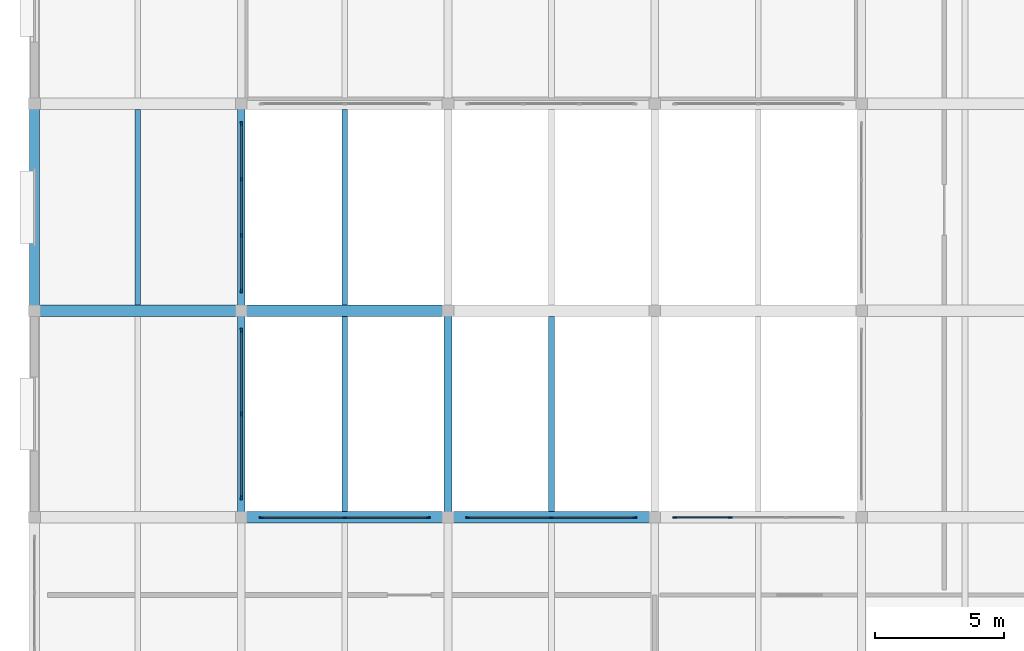
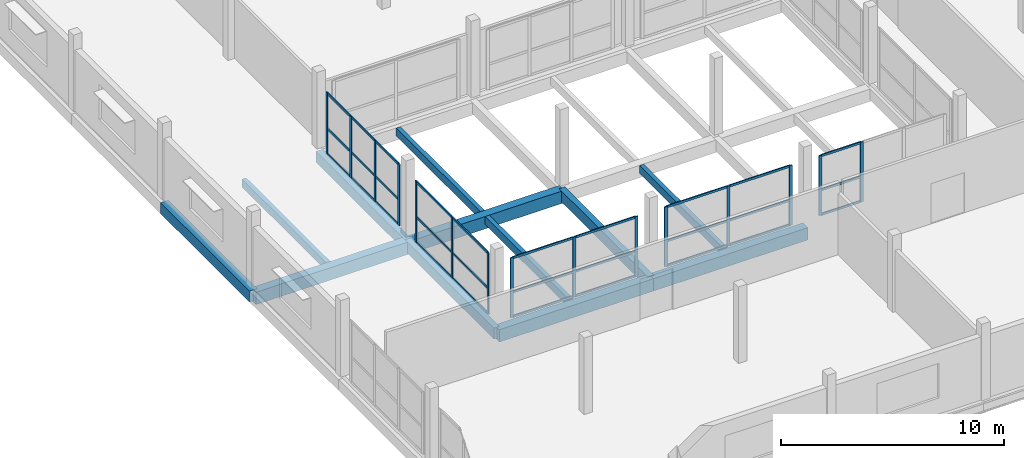
# One storey, part 7 of 53: 45 members, 12 beams, 5 elements without a shape of their own.
"""IFC4 building model written with IfcOpenShell, lengths in metres."""

from ifc_helpers import new_model, si_unit, direction, frame, origin, origin_2d, place, context, subcontext, project, spatial, rectangle, extrude, material, material_profile, profile_set, type_object, element, aggregate, save


model = new_model("IFC4")

# Units and contexts
model_context = context("Model", 3, precision=1e-05, world=origin(), true_north=direction((0.0, 1.0)))
body_context = subcontext(model_context, "Body", "Model", "MODEL_VIEW")
ifc_project = project(units=[si_unit("LENGTHUNIT", "METRE"), si_unit("AREAUNIT", "SQUARE_METRE"), si_unit("VOLUMEUNIT", "CUBIC_METRE"), si_unit("PLANEANGLEUNIT", "RADIAN"), si_unit("MASSUNIT", "GRAM", prefix="KILO")], contexts=[model_context])

# Site, building, storey
site_placement = place(None, origin())
site = spatial("IfcSite", under=ifc_project, at=site_placement, CompositionType="ELEMENT")
building_placement = place(site_placement, origin())
building = spatial("IfcBuilding", under=site, at=building_placement, Name="Vharandega Faculty of Natural Sciences", CompositionType="ELEMENT")
storey_placement = place(building_placement, frame((0.0, 0.0, 10.199951171875)))
storey = spatial("IfcBuildingStorey", under=building, at=storey_placement, Name="L02", CompositionType="ELEMENT", Elevation=10.199951171875)

# Curtain wall, members
ifc_material_1 = material(Name="Aluminium and solar-control glass curtain wall", Category="aluminium")
curtain_wall_type_1 = type_object("IfcCurtainWallType", Name="Unitised Curtain Wall System CW-02", PredefinedType="NOTDEFINED", material=ifc_material_1)
curtain_wall_1_placement = place(storey_placement, origin())
curtain_wall_1 = element("IfcCurtainWall", 1, at=curtain_wall_1_placement, inside=storey, type_object=curtain_wall_type_1, Name="Curtain Wall CW-L02-141", PredefinedType="NOTDEFINED")
ifc_material_2 = material(Name="Thermally broken aluminium 6063-T6", Category="aluminium")
ifc_material_profile_1 = material_profile(ifc_material_2, rectangle(XDim=0.06005859375, YDim=0.159912109375, at=origin_2d()), Name="ALU 60x160")
ifc_profile_set_1 = profile_set([ifc_material_profile_1], Name="Thermally broken aluminium 6063-T6")
member_type_1 = type_object("IfcMemberType", Name="CW Mullion 60x160", PredefinedType="MULLION", material=ifc_profile_set_1)
member_1_placement = place(storey_placement, frame((8.77001953125, 16.0, 0.0), z_axis=(0.0, 0.0, 1.0), x_axis=(0.0, 1.0, 0.0)))
member_1 = element("IfcMember", 2, at=member_1_placement, type_object=member_type_1, Name="CW-02 mullion 1", PredefinedType="MULLION", context=body_context, shape_type="SweptSolid", body=[
    extrude(rectangle(XDim=0.06005859375, YDim=0.159912109375, at=origin_2d()), origin(), (0.0, 0.0, 1.0), 3.280029296875),
])
member_2_placement = place(storey_placement, frame((12.0, 16.0, 0.0), z_axis=(0.0, 0.0, 1.0), x_axis=(0.0, 1.0, 0.0)))
member_2 = element("IfcMember", 3, at=member_2_placement, type_object=member_type_1, Name="CW-02 mullion 2", PredefinedType="MULLION", context=body_context, shape_type="SweptSolid", body=[
    extrude(rectangle(XDim=0.06005859375, YDim=0.159912109375, at=origin_2d()), origin(), (0.0, 0.0, 1.0), 3.280029296875),
])
member_3_placement = place(storey_placement, frame((15.22998046875, 16.0, 0.0), z_axis=(0.0, 0.0, 1.0), x_axis=(0.0, 1.0, 0.0)))
member_3 = element("IfcMember", 4, at=member_3_placement, type_object=member_type_1, Name="CW-02 mullion 3", PredefinedType="MULLION", context=body_context, shape_type="SweptSolid", body=[
    extrude(rectangle(XDim=0.06005859375, YDim=0.159912109375, at=origin_2d()), origin(), (0.0, 0.0, 1.0), 3.280029296875),
])

ifc_material_3 = material(Name="Aluminium and solar-control glass curtain wall", Category="aluminium")
curtain_wall_type_2 = type_object("IfcCurtainWallType", Name="Unitised Curtain Wall System CW-04", PredefinedType="NOTDEFINED", material=ifc_material_3)
curtain_wall_2_placement = place(storey_placement, origin())
curtain_wall_2 = element("IfcCurtainWall", 5, at=curtain_wall_2_placement, inside=storey, type_object=curtain_wall_type_2, Name="Curtain Wall CW-L02-143", PredefinedType="NOTDEFINED")
member_4_placement = place(storey_placement, frame((16.77001953125, 16.0, 0.0), z_axis=(0.0, 0.0, 1.0), x_axis=(0.0, 1.0, 0.0)))
member_4 = element("IfcMember", 6, at=member_4_placement, type_object=member_type_1, Name="CW-04 mullion 1", PredefinedType="MULLION", context=body_context, shape_type="SweptSolid", body=[
    extrude(rectangle(XDim=0.06005859375, YDim=0.159912109375, at=origin_2d()), origin(), (0.0, 0.0, 1.0), 3.280029296875),
])
member_5_placement = place(storey_placement, frame((20.0, 16.0, 0.0), z_axis=(0.0, 0.0, 1.0), x_axis=(0.0, 1.0, 0.0)))
member_5 = element("IfcMember", 7, at=member_5_placement, type_object=member_type_1, Name="CW-04 mullion 2", PredefinedType="MULLION", context=body_context, shape_type="SweptSolid", body=[
    extrude(rectangle(XDim=0.06005859375, YDim=0.159912109375, at=origin_2d()), origin(), (0.0, 0.0, 1.0), 3.280029296875),
])
member_6_placement = place(storey_placement, frame((23.22998046875, 16.0, 0.0), z_axis=(0.0, 0.0, 1.0), x_axis=(0.0, 1.0, 0.0)))
member_6 = element("IfcMember", 8, at=member_6_placement, type_object=member_type_1, Name="CW-04 mullion 3", PredefinedType="MULLION", context=body_context, shape_type="SweptSolid", body=[
    extrude(rectangle(XDim=0.06005859375, YDim=0.159912109375, at=origin_2d()), origin(), (0.0, 0.0, 1.0), 3.280029296875),
])

ifc_material_4 = material(Name="Aluminium and solar-control glass curtain wall", Category="aluminium")
curtain_wall_type_3 = type_object("IfcCurtainWallType", Name="Unitised Curtain Wall System CW-06", PredefinedType="NOTDEFINED", material=ifc_material_4)
curtain_wall_3_placement = place(storey_placement, origin())
curtain_wall_3 = element("IfcCurtainWall", 9, at=curtain_wall_3_placement, inside=storey, type_object=curtain_wall_type_3, Name="Curtain Wall CW-L02-145", PredefinedType="NOTDEFINED")
member_7_placement = place(storey_placement, frame((24.77001953125, 16.0, 0.0), z_axis=(0.0, 0.0, 1.0), x_axis=(0.0, 1.0, 0.0)))
member_7 = element("IfcMember", 10, at=member_7_placement, type_object=member_type_1, Name="CW-06 mullion 1", PredefinedType="MULLION", context=body_context, shape_type="SweptSolid", body=[
    extrude(rectangle(XDim=0.06005859375, YDim=0.159912109375, at=origin_2d()), origin(), (0.0, 0.0, 1.0), 3.280029296875),
])
member_8_placement = place(storey_placement, frame((26.913330078125, 16.0, 0.0), z_axis=(0.0, 0.0, 1.0), x_axis=(0.0, 1.0, 0.0)))
member_8 = element("IfcMember", 11, at=member_8_placement, type_object=member_type_1, Name="CW-06 mullion 2", PredefinedType="MULLION", context=body_context, shape_type="SweptSolid", body=[
    extrude(rectangle(XDim=0.06005859375, YDim=0.159912109375, at=origin_2d()), origin(), (0.0, 0.0, 1.0), 3.280029296875),
])

ifc_material_5 = material(Name="Aluminium and solar-control glass curtain wall", Category="aluminium")
curtain_wall_type_4 = type_object("IfcCurtainWallType", Name="Unitised Curtain Wall System CW-08", PredefinedType="NOTDEFINED", material=ifc_material_5)
curtain_wall_4_placement = place(storey_placement, origin())
curtain_wall_4 = element("IfcCurtainWall", 12, at=curtain_wall_4_placement, inside=storey, type_object=curtain_wall_type_4, Name="Curtain Wall CW-L02-147", PredefinedType="NOTDEFINED")
member_9_placement = place(storey_placement, frame((8.0, 16.77001953125, 0.0), z_axis=(0.0, 0.0, 1.0), x_axis=(-1.0, 0.0, 0.0)))
member_9 = element("IfcMember", 13, at=member_9_placement, type_object=member_type_1, Name="CW-08 mullion 1", PredefinedType="MULLION", context=body_context, shape_type="SweptSolid", body=[
    extrude(rectangle(XDim=0.06005859375, YDim=0.159912109375, at=origin_2d()), origin(), (0.0, 0.0, 1.0), 3.360107421875),
])
member_10_placement = place(storey_placement, frame((8.0, 20.0, 0.0), z_axis=(0.0, 0.0, 1.0), x_axis=(-1.0, 0.0, 0.0)))
member_10 = element("IfcMember", 14, at=member_10_placement, type_object=member_type_1, Name="CW-08 mullion 2", PredefinedType="MULLION", context=body_context, shape_type="SweptSolid", body=[
    extrude(rectangle(XDim=0.06005859375, YDim=0.159912109375, at=origin_2d()), origin(), (0.0, 0.0, 1.0), 3.360107421875),
])
member_11_placement = place(storey_placement, frame((8.0, 23.22998046875, 0.0), z_axis=(0.0, 0.0, 1.0), x_axis=(-1.0, 0.0, 0.0)))
member_11 = element("IfcMember", 15, at=member_11_placement, type_object=member_type_1, Name="CW-08 mullion 3", PredefinedType="MULLION", context=body_context, shape_type="SweptSolid", body=[
    extrude(rectangle(XDim=0.06005859375, YDim=0.159912109375, at=origin_2d()), origin(), (0.0, 0.0, 1.0), 3.360107421875),
])

ifc_material_6 = material(Name="Aluminium and solar-control glass curtain wall", Category="aluminium")
curtain_wall_type_5 = type_object("IfcCurtainWallType", Name="Unitised Curtain Wall System CW-10", PredefinedType="NOTDEFINED", material=ifc_material_6)
curtain_wall_5_placement = place(storey_placement, origin())
curtain_wall_5 = element("IfcCurtainWall", 16, at=curtain_wall_5_placement, inside=storey, type_object=curtain_wall_type_5, Name="Curtain Wall CW-L02-149", PredefinedType="NOTDEFINED")
member_12_placement = place(storey_placement, frame((8.0, 24.77001953125, 0.0), z_axis=(0.0, 0.0, 1.0), x_axis=(-1.0, 0.0, 0.0)))
member_12 = element("IfcMember", 17, at=member_12_placement, type_object=member_type_1, Name="CW-10 mullion 1", PredefinedType="MULLION", context=body_context, shape_type="SweptSolid", body=[
    extrude(rectangle(XDim=0.06005859375, YDim=0.159912109375, at=origin_2d()), origin(), (0.0, 0.0, 1.0), 3.360107421875),
])
member_13_placement = place(storey_placement, frame((8.0, 26.913330078125, 0.0), z_axis=(0.0, 0.0, 1.0), x_axis=(-1.0, 0.0, 0.0)))
member_13 = element("IfcMember", 18, at=member_13_placement, type_object=member_type_1, Name="CW-10 mullion 2", PredefinedType="MULLION", context=body_context, shape_type="SweptSolid", body=[
    extrude(rectangle(XDim=0.06005859375, YDim=0.159912109375, at=origin_2d()), origin(), (0.0, 0.0, 1.0), 3.360107421875),
])
member_14_placement = place(storey_placement, frame((8.0, 29.086669921875, 0.0), z_axis=(0.0, 0.0, 1.0), x_axis=(-1.0, 0.0, 0.0)))
member_14 = element("IfcMember", 19, at=member_14_placement, type_object=member_type_1, Name="CW-10 mullion 3", PredefinedType="MULLION", context=body_context, shape_type="SweptSolid", body=[
    extrude(rectangle(XDim=0.06005859375, YDim=0.159912109375, at=origin_2d()), origin(), (0.0, 0.0, 1.0), 3.360107421875),
])
member_15_placement = place(storey_placement, frame((8.0, 31.22998046875, 0.0), z_axis=(0.0, 0.0, 1.0), x_axis=(-1.0, 0.0, 0.0)))
member_15 = element("IfcMember", 20, at=member_15_placement, type_object=member_type_1, Name="CW-10 mullion 4", PredefinedType="MULLION", context=body_context, shape_type="SweptSolid", body=[
    extrude(rectangle(XDim=0.06005859375, YDim=0.159912109375, at=origin_2d()), origin(), (0.0, 0.0, 1.0), 3.360107421875),
])

# Member
ifc_material_7 = material(Name="Thermally broken aluminium 6063-T6", Category="aluminium")
ifc_material_profile_2 = material_profile(ifc_material_7, rectangle(XDim=0.06005859375, YDim=0.1201171875, at=origin_2d()), Name="ALU 60x120")
ifc_profile_set_2 = profile_set([ifc_material_profile_2], Name="Thermally broken aluminium 6063-T6")
member_type_2 = type_object("IfcMemberType", Name="CW Transom 60x120", PredefinedType="USERDEFINED", material=ifc_profile_set_2)
member_16_placement = place(storey_placement, frame((8.800048828125, 16.0, 0.030029296875), z_axis=(1.0, 0.0, 0.0), x_axis=(0.0, 1.0, 0.0)))
member_16 = element("IfcMember", 21, at=member_16_placement, type_object=member_type_2, Name="CW-02 transom 1.1", ObjectType="TRANSOM", PredefinedType="USERDEFINED", context=body_context, shape_type="SweptSolid", body=[
    extrude(rectangle(XDim=0.06005859375, YDim=0.1201171875, at=origin_2d()), origin(), (0.0, 0.0, 1.0), 3.169921875),
])

member_17_placement = place(storey_placement, frame((8.800048828125, 16.0, 1.377685546875), z_axis=(1.0, 0.0, 0.0), x_axis=(0.0, 1.0, 0.0)))
member_17 = element("IfcMember", 22, at=member_17_placement, type_object=member_type_2, Name="CW-02 transom 1.2", ObjectType="TRANSOM", PredefinedType="USERDEFINED", context=body_context, shape_type="SweptSolid", body=[
    extrude(rectangle(XDim=0.06005859375, YDim=0.1201171875, at=origin_2d()), origin(), (0.0, 0.0, 1.0), 3.169921875),
])

member_18_placement = place(storey_placement, frame((8.800048828125, 16.0, 3.25), z_axis=(1.0, 0.0, 0.0), x_axis=(0.0, 1.0, 0.0)))
member_18 = element("IfcMember", 23, at=member_18_placement, type_object=member_type_2, Name="CW-02 transom 1.3", ObjectType="TRANSOM", PredefinedType="USERDEFINED", context=body_context, shape_type="SweptSolid", body=[
    extrude(rectangle(XDim=0.06005859375, YDim=0.1201171875, at=origin_2d()), origin(), (0.0, 0.0, 1.0), 3.169921875),
])

member_19_placement = place(storey_placement, frame((12.030029296875, 16.0, 0.030029296875), z_axis=(1.0, 0.0, 0.0), x_axis=(0.0, 1.0, 0.0)))
member_19 = element("IfcMember", 24, at=member_19_placement, type_object=member_type_2, Name="CW-02 transom 2.1", ObjectType="TRANSOM", PredefinedType="USERDEFINED", context=body_context, shape_type="SweptSolid", body=[
    extrude(rectangle(XDim=0.06005859375, YDim=0.1201171875, at=origin_2d()), origin(), (0.0, 0.0, 1.0), 3.169921875),
])

member_20_placement = place(storey_placement, frame((12.030029296875, 16.0, 1.377685546875), z_axis=(1.0, 0.0, 0.0), x_axis=(0.0, 1.0, 0.0)))
member_20 = element("IfcMember", 25, at=member_20_placement, type_object=member_type_2, Name="CW-02 transom 2.2", ObjectType="TRANSOM", PredefinedType="USERDEFINED", context=body_context, shape_type="SweptSolid", body=[
    extrude(rectangle(XDim=0.06005859375, YDim=0.1201171875, at=origin_2d()), origin(), (0.0, 0.0, 1.0), 3.169921875),
])

member_21_placement = place(storey_placement, frame((12.030029296875, 16.0, 3.25), z_axis=(1.0, 0.0, 0.0), x_axis=(0.0, 1.0, 0.0)))
member_21 = element("IfcMember", 26, at=member_21_placement, type_object=member_type_2, Name="CW-02 transom 2.3", ObjectType="TRANSOM", PredefinedType="USERDEFINED", context=body_context, shape_type="SweptSolid", body=[
    extrude(rectangle(XDim=0.06005859375, YDim=0.1201171875, at=origin_2d()), origin(), (0.0, 0.0, 1.0), 3.169921875),
])

aggregate(curtain_wall_1, [member_1, member_2, member_3, member_16, member_17, member_18, member_19, member_20, member_21])

member_22_placement = place(storey_placement, frame((16.800048828125, 16.0, 0.030029296875), z_axis=(1.0, 0.0, 0.0), x_axis=(0.0, 1.0, 0.0)))
member_22 = element("IfcMember", 27, at=member_22_placement, type_object=member_type_2, Name="CW-04 transom 1.1", ObjectType="TRANSOM", PredefinedType="USERDEFINED", context=body_context, shape_type="SweptSolid", body=[
    extrude(rectangle(XDim=0.06005859375, YDim=0.1201171875, at=origin_2d()), origin(), (0.0, 0.0, 1.0), 3.169921875),
])

member_23_placement = place(storey_placement, frame((16.800048828125, 16.0, 1.377685546875), z_axis=(1.0, 0.0, 0.0), x_axis=(0.0, 1.0, 0.0)))
member_23 = element("IfcMember", 28, at=member_23_placement, type_object=member_type_2, Name="CW-04 transom 1.2", ObjectType="TRANSOM", PredefinedType="USERDEFINED", context=body_context, shape_type="SweptSolid", body=[
    extrude(rectangle(XDim=0.06005859375, YDim=0.1201171875, at=origin_2d()), origin(), (0.0, 0.0, 1.0), 3.169921875),
])

member_24_placement = place(storey_placement, frame((16.800048828125, 16.0, 3.25), z_axis=(1.0, 0.0, 0.0), x_axis=(0.0, 1.0, 0.0)))
member_24 = element("IfcMember", 29, at=member_24_placement, type_object=member_type_2, Name="CW-04 transom 1.3", ObjectType="TRANSOM", PredefinedType="USERDEFINED", context=body_context, shape_type="SweptSolid", body=[
    extrude(rectangle(XDim=0.06005859375, YDim=0.1201171875, at=origin_2d()), origin(), (0.0, 0.0, 1.0), 3.169921875),
])

member_25_placement = place(storey_placement, frame((20.030029296875, 16.0, 0.030029296875), z_axis=(1.0, 0.0, 0.0), x_axis=(0.0, 1.0, 0.0)))
member_25 = element("IfcMember", 30, at=member_25_placement, type_object=member_type_2, Name="CW-04 transom 2.1", ObjectType="TRANSOM", PredefinedType="USERDEFINED", context=body_context, shape_type="SweptSolid", body=[
    extrude(rectangle(XDim=0.06005859375, YDim=0.1201171875, at=origin_2d()), origin(), (0.0, 0.0, 1.0), 3.169921875),
])

member_26_placement = place(storey_placement, frame((20.030029296875, 16.0, 1.377685546875), z_axis=(1.0, 0.0, 0.0), x_axis=(0.0, 1.0, 0.0)))
member_26 = element("IfcMember", 31, at=member_26_placement, type_object=member_type_2, Name="CW-04 transom 2.2", ObjectType="TRANSOM", PredefinedType="USERDEFINED", context=body_context, shape_type="SweptSolid", body=[
    extrude(rectangle(XDim=0.06005859375, YDim=0.1201171875, at=origin_2d()), origin(), (0.0, 0.0, 1.0), 3.169921875),
])

member_27_placement = place(storey_placement, frame((20.030029296875, 16.0, 3.25), z_axis=(1.0, 0.0, 0.0), x_axis=(0.0, 1.0, 0.0)))
member_27 = element("IfcMember", 32, at=member_27_placement, type_object=member_type_2, Name="CW-04 transom 2.3", ObjectType="TRANSOM", PredefinedType="USERDEFINED", context=body_context, shape_type="SweptSolid", body=[
    extrude(rectangle(XDim=0.06005859375, YDim=0.1201171875, at=origin_2d()), origin(), (0.0, 0.0, 1.0), 3.169921875),
])

aggregate(curtain_wall_2, [member_4, member_5, member_6, member_22, member_23, member_24, member_25, member_26, member_27])

member_28_placement = place(storey_placement, frame((24.800048828125, 16.0, 0.030029296875), z_axis=(1.0, 0.0, 0.0), x_axis=(0.0, 1.0, 0.0)))
member_28 = element("IfcMember", 33, at=member_28_placement, type_object=member_type_2, Name="CW-06 transom 1.1", ObjectType="TRANSOM", PredefinedType="USERDEFINED", context=body_context, shape_type="SweptSolid", body=[
    extrude(rectangle(XDim=0.06005859375, YDim=0.1201171875, at=origin_2d()), origin(), (0.0, 0.0, 1.0), 2.083251953125),
])

member_29_placement = place(storey_placement, frame((24.800048828125, 16.0, 1.377685546875), z_axis=(1.0, 0.0, 0.0), x_axis=(0.0, 1.0, 0.0)))
member_29 = element("IfcMember", 34, at=member_29_placement, type_object=member_type_2, Name="CW-06 transom 1.2", ObjectType="TRANSOM", PredefinedType="USERDEFINED", context=body_context, shape_type="SweptSolid", body=[
    extrude(rectangle(XDim=0.06005859375, YDim=0.1201171875, at=origin_2d()), origin(), (0.0, 0.0, 1.0), 2.083251953125),
])

member_30_placement = place(storey_placement, frame((24.800048828125, 16.0, 3.25), z_axis=(1.0, 0.0, 0.0), x_axis=(0.0, 1.0, 0.0)))
member_30 = element("IfcMember", 35, at=member_30_placement, type_object=member_type_2, Name="CW-06 transom 1.3", ObjectType="TRANSOM", PredefinedType="USERDEFINED", context=body_context, shape_type="SweptSolid", body=[
    extrude(rectangle(XDim=0.06005859375, YDim=0.1201171875, at=origin_2d()), origin(), (0.0, 0.0, 1.0), 2.083251953125),
])

aggregate(curtain_wall_3, [member_7, member_8, member_28, member_29, member_30])

member_31_placement = place(storey_placement, frame((8.0, 16.800048828125, 0.030029296875), z_axis=(0.0, 1.0, 0.0), x_axis=(-1.0, 0.0, 0.0)))
member_31 = element("IfcMember", 36, at=member_31_placement, type_object=member_type_2, Name="CW-08 transom 1.1", ObjectType="TRANSOM", PredefinedType="USERDEFINED", context=body_context, shape_type="SweptSolid", body=[
    extrude(rectangle(XDim=0.06005859375, YDim=0.1201171875, at=origin_2d()), origin(), (0.0, 0.0, 1.0), 3.169921875),
])

member_32_placement = place(storey_placement, frame((8.0, 16.800048828125, 1.4111328125), z_axis=(0.0, 1.0, 0.0), x_axis=(-1.0, 0.0, 0.0)))
member_32 = element("IfcMember", 37, at=member_32_placement, type_object=member_type_2, Name="CW-08 transom 1.2", ObjectType="TRANSOM", PredefinedType="USERDEFINED", context=body_context, shape_type="SweptSolid", body=[
    extrude(rectangle(XDim=0.06005859375, YDim=0.1201171875, at=origin_2d()), origin(), (0.0, 0.0, 1.0), 3.169921875),
])

member_33_placement = place(storey_placement, frame((8.0, 16.800048828125, 3.330078125), z_axis=(0.0, 1.0, 0.0), x_axis=(-1.0, 0.0, 0.0)))
member_33 = element("IfcMember", 38, at=member_33_placement, type_object=member_type_2, Name="CW-08 transom 1.3", ObjectType="TRANSOM", PredefinedType="USERDEFINED", context=body_context, shape_type="SweptSolid", body=[
    extrude(rectangle(XDim=0.06005859375, YDim=0.1201171875, at=origin_2d()), origin(), (0.0, 0.0, 1.0), 3.169921875),
])

member_34_placement = place(storey_placement, frame((8.0, 20.030029296875, 0.030029296875), z_axis=(0.0, 1.0, 0.0), x_axis=(-1.0, 0.0, 0.0)))
member_34 = element("IfcMember", 39, at=member_34_placement, type_object=member_type_2, Name="CW-08 transom 2.1", ObjectType="TRANSOM", PredefinedType="USERDEFINED", context=body_context, shape_type="SweptSolid", body=[
    extrude(rectangle(XDim=0.06005859375, YDim=0.1201171875, at=origin_2d()), origin(), (0.0, 0.0, 1.0), 3.169921875),
])

member_35_placement = place(storey_placement, frame((8.0, 20.030029296875, 1.4111328125), z_axis=(0.0, 1.0, 0.0), x_axis=(-1.0, 0.0, 0.0)))
member_35 = element("IfcMember", 40, at=member_35_placement, type_object=member_type_2, Name="CW-08 transom 2.2", ObjectType="TRANSOM", PredefinedType="USERDEFINED", context=body_context, shape_type="SweptSolid", body=[
    extrude(rectangle(XDim=0.06005859375, YDim=0.1201171875, at=origin_2d()), origin(), (0.0, 0.0, 1.0), 3.169921875),
])

member_36_placement = place(storey_placement, frame((8.0, 20.030029296875, 3.330078125), z_axis=(0.0, 1.0, 0.0), x_axis=(-1.0, 0.0, 0.0)))
member_36 = element("IfcMember", 41, at=member_36_placement, type_object=member_type_2, Name="CW-08 transom 2.3", ObjectType="TRANSOM", PredefinedType="USERDEFINED", context=body_context, shape_type="SweptSolid", body=[
    extrude(rectangle(XDim=0.06005859375, YDim=0.1201171875, at=origin_2d()), origin(), (0.0, 0.0, 1.0), 3.169921875),
])

aggregate(curtain_wall_4, [member_9, member_10, member_11, member_31, member_32, member_33, member_34, member_35, member_36])

member_37_placement = place(storey_placement, frame((8.0, 24.800048828125, 0.030029296875), z_axis=(0.0, 1.0, 0.0), x_axis=(-1.0, 0.0, 0.0)))
member_37 = element("IfcMember", 42, at=member_37_placement, type_object=member_type_2, Name="CW-10 transom 1.1", ObjectType="TRANSOM", PredefinedType="USERDEFINED", context=body_context, shape_type="SweptSolid", body=[
    extrude(rectangle(XDim=0.06005859375, YDim=0.1201171875, at=origin_2d()), origin(), (0.0, 0.0, 1.0), 2.083251953125),
])

member_38_placement = place(storey_placement, frame((8.0, 24.800048828125, 1.4111328125), z_axis=(0.0, 1.0, 0.0), x_axis=(-1.0, 0.0, 0.0)))
member_38 = element("IfcMember", 43, at=member_38_placement, type_object=member_type_2, Name="CW-10 transom 1.2", ObjectType="TRANSOM", PredefinedType="USERDEFINED", context=body_context, shape_type="SweptSolid", body=[
    extrude(rectangle(XDim=0.06005859375, YDim=0.1201171875, at=origin_2d()), origin(), (0.0, 0.0, 1.0), 2.083251953125),
])

member_39_placement = place(storey_placement, frame((8.0, 24.800048828125, 3.330078125), z_axis=(0.0, 1.0, 0.0), x_axis=(-1.0, 0.0, 0.0)))
member_39 = element("IfcMember", 44, at=member_39_placement, type_object=member_type_2, Name="CW-10 transom 1.3", ObjectType="TRANSOM", PredefinedType="USERDEFINED", context=body_context, shape_type="SweptSolid", body=[
    extrude(rectangle(XDim=0.06005859375, YDim=0.1201171875, at=origin_2d()), origin(), (0.0, 0.0, 1.0), 2.083251953125),
])

member_40_placement = place(storey_placement, frame((8.0, 26.943359375, 0.030029296875), z_axis=(0.0, 1.0, 0.0), x_axis=(-1.0, 0.0, 0.0)))
member_40 = element("IfcMember", 45, at=member_40_placement, type_object=member_type_2, Name="CW-10 transom 2.1", ObjectType="TRANSOM", PredefinedType="USERDEFINED", context=body_context, shape_type="SweptSolid", body=[
    extrude(rectangle(XDim=0.06005859375, YDim=0.1201171875, at=origin_2d()), origin(), (0.0, 0.0, 1.0), 2.11328125),
])

member_41_placement = place(storey_placement, frame((8.0, 26.943359375, 1.4111328125), z_axis=(0.0, 1.0, 0.0), x_axis=(-1.0, 0.0, 0.0)))
member_41 = element("IfcMember", 46, at=member_41_placement, type_object=member_type_2, Name="CW-10 transom 2.2", ObjectType="TRANSOM", PredefinedType="USERDEFINED", context=body_context, shape_type="SweptSolid", body=[
    extrude(rectangle(XDim=0.06005859375, YDim=0.1201171875, at=origin_2d()), origin(), (0.0, 0.0, 1.0), 2.11328125),
])

member_42_placement = place(storey_placement, frame((8.0, 26.943359375, 3.330078125), z_axis=(0.0, 1.0, 0.0), x_axis=(-1.0, 0.0, 0.0)))
member_42 = element("IfcMember", 47, at=member_42_placement, type_object=member_type_2, Name="CW-10 transom 2.3", ObjectType="TRANSOM", PredefinedType="USERDEFINED", context=body_context, shape_type="SweptSolid", body=[
    extrude(rectangle(XDim=0.06005859375, YDim=0.1201171875, at=origin_2d()), origin(), (0.0, 0.0, 1.0), 2.11328125),
])

member_43_placement = place(storey_placement, frame((8.0, 29.11669921875, 0.030029296875), z_axis=(0.0, 1.0, 0.0), x_axis=(-1.0, 0.0, 0.0)))
member_43 = element("IfcMember", 48, at=member_43_placement, type_object=member_type_2, Name="CW-10 transom 3.1", ObjectType="TRANSOM", PredefinedType="USERDEFINED", context=body_context, shape_type="SweptSolid", body=[
    extrude(rectangle(XDim=0.06005859375, YDim=0.1201171875, at=origin_2d()), origin(), (0.0, 0.0, 1.0), 2.083251953125),
])

member_44_placement = place(storey_placement, frame((8.0, 29.11669921875, 1.4111328125), z_axis=(0.0, 1.0, 0.0), x_axis=(-1.0, 0.0, 0.0)))
member_44 = element("IfcMember", 49, at=member_44_placement, type_object=member_type_2, Name="CW-10 transom 3.2", ObjectType="TRANSOM", PredefinedType="USERDEFINED", context=body_context, shape_type="SweptSolid", body=[
    extrude(rectangle(XDim=0.06005859375, YDim=0.1201171875, at=origin_2d()), origin(), (0.0, 0.0, 1.0), 2.083251953125),
])

member_45_placement = place(storey_placement, frame((8.0, 29.11669921875, 3.330078125), z_axis=(0.0, 1.0, 0.0), x_axis=(-1.0, 0.0, 0.0)))
member_45 = element("IfcMember", 50, at=member_45_placement, type_object=member_type_2, Name="CW-10 transom 3.3", ObjectType="TRANSOM", PredefinedType="USERDEFINED", context=body_context, shape_type="SweptSolid", body=[
    extrude(rectangle(XDim=0.06005859375, YDim=0.1201171875, at=origin_2d()), origin(), (0.0, 0.0, 1.0), 2.083251953125),
])

aggregate(curtain_wall_5, [member_12, member_13, member_14, member_15, member_37, member_38, member_39, member_40, member_41, member_42, member_43, member_44, member_45])

# Beams
ifc_material_8 = material(Name="Glulam GL28h", Category="wood")
ifc_material_profile_3 = material_profile(ifc_material_8, rectangle(XDim=0.300048828125, YDim=0.60009765625, at=origin_2d()), Name="GL28h 300x600")
ifc_profile_set_3 = profile_set([ifc_material_profile_3], Name="Glulam GL28h")
beam_type_1 = type_object("IfcBeamType", Name="Glulam Floor Beam 300x600", PredefinedType="BEAM", material=ifc_profile_set_3)
for number, where, z_axis, x_axis, name in (
    (51, (8.0, 16.0, -0.579833984375), (0.0, 1.0, 0.0), (-1.0, 0.0, 0.0), "Beam L02 2/C-D"),
    (52, (8.0, 24.0, -0.579833984375), (0.0, 1.0, 0.0), (-1.0, 0.0, 0.0), "Beam L02 2/D-E"),
    (53, (16.0, 16.0, -0.579833984375), (0.0, 1.0, 0.0), (-1.0, 0.0, 0.0), "Beam L02 3/C-D"),
):
    element("IfcBeam", number, at=place(storey_placement, frame(where, z_axis=z_axis, x_axis=x_axis)), inside=storey, type_object=beam_type_1, Name=name, PredefinedType="BEAM", context=body_context, shape_type="SweptSolid", body=[
        extrude(rectangle(XDim=0.300048828125, YDim=0.60009765625, at=origin_2d()), origin(), (0.0, 0.0, 1.0), 8.0),
    ])
ifc_material_9 = material(Name="Glulam GL32h", Category="wood")
ifc_material_profile_4 = material_profile(ifc_material_9, rectangle(XDim=0.43994140625, YDim=0.679931640625, at=origin_2d()), Name="GL32h 440x680")
ifc_profile_set_4 = profile_set([ifc_material_profile_4], Name="Glulam GL32h")
beam_type_2 = type_object("IfcBeamType", Name="Glulam Girder 440x680", PredefinedType="BEAM", material=ifc_profile_set_4)
for number, where, z_axis, x_axis, name in (
    (54, (8.0, 16.0, -0.619873046875), (1.0, 0.0, 0.0), (0.0, 1.0, 0.0), "Beam L02 C/2-3"),
    (55, (16.0, 16.0, -0.619873046875), (1.0, 0.0, 0.0), (0.0, 1.0, 0.0), "Beam L02 C/3-4"),
    (56, (0.0, 24.0, -0.619873046875), (1.0, 0.0, 0.0), (0.0, 1.0, 0.0), "Beam L02 D/1-2"),
    (57, (8.0, 24.0, -0.619873046875), (1.0, 0.0, 0.0), (0.0, 1.0, 0.0), "Beam L02 D/2-3"),
):
    element("IfcBeam", number, at=place(storey_placement, frame(where, z_axis=z_axis, x_axis=x_axis)), inside=storey, type_object=beam_type_2, Name=name, PredefinedType="BEAM", context=body_context, shape_type="SweptSolid", body=[
        extrude(rectangle(XDim=0.43994140625, YDim=0.679931640625, at=origin_2d()), origin(), (0.0, 0.0, 1.0), 8.0),
    ])
ifc_material_10 = material(Name="Glulam GL28h", Category="wood")
ifc_material_profile_5 = material_profile(ifc_material_10, rectangle(XDim=0.219970703125, YDim=0.43994140625, at=origin_2d()), Name="GL28h 220x440")
ifc_profile_set_5 = profile_set([ifc_material_profile_5], Name="Glulam GL28h")
beam_type_3 = type_object("IfcBeamType", Name="Glulam Secondary Joist 220x440", PredefinedType="JOIST", material=ifc_profile_set_5)
for number, where, z_axis, x_axis, name in (
    (58, (4.0, 24.219970703125, -0.5), (0.0, 1.0, 0.0), (-1.0, 0.0, 0.0), "Secondary Joist L02 1-2/D-E"),
    (59, (12.0, 16.219970703125, -0.5), (0.0, 1.0, 0.0), (-1.0, 0.0, 0.0), "Secondary Joist L02 2-3/C-D"),
    (60, (12.0, 24.219970703125, -0.5), (0.0, 1.0, 0.0), (-1.0, 0.0, 0.0), "Secondary Joist L02 2-3/D-E"),
    (61, (20.0, 16.219970703125, -0.5), (0.0, 1.0, 0.0), (-1.0, 0.0, 0.0), "Secondary Joist L02 3-4/C-D"),
):
    element("IfcBeam", number, at=place(storey_placement, frame(where, z_axis=z_axis, x_axis=x_axis)), inside=storey, type_object=beam_type_3, Name=name, PredefinedType="JOIST", context=body_context, shape_type="SweptSolid", body=[
        extrude(rectangle(XDim=0.219970703125, YDim=0.43994140625, at=origin_2d()), origin(), (0.0, 0.0, 1.0), 7.56005859375),
    ])
ifc_material_11 = material(Name="Glulam GL32h", Category="wood")
ifc_material_profile_6 = material_profile(ifc_material_11, rectangle(XDim=0.39990234375, YDim=0.60009765625, at=origin_2d()), Name="GL32h 400x600")
ifc_profile_set_6 = profile_set([ifc_material_profile_6], Name="Glulam GL32h")
beam_type_4 = type_object("IfcBeamType", Name="Glulam Spine Girder 400x600", PredefinedType="BEAM", material=ifc_profile_set_6)
beam_placement = place(storey_placement, frame((0.0, 24.0, -0.579833984375), z_axis=(0.0, 1.0, 0.0), x_axis=(-1.0, 0.0, 0.0)))
element("IfcBeam", 62, at=beam_placement, inside=storey, type_object=beam_type_4, Name="Beam L02 1/D-E", PredefinedType="BEAM", context=body_context, shape_type="SweptSolid", body=[
    extrude(rectangle(XDim=0.39990234375, YDim=0.60009765625, at=origin_2d()), origin(), (0.0, 0.0, 1.0), 8.0),
])

save(model, "model.ifc")
